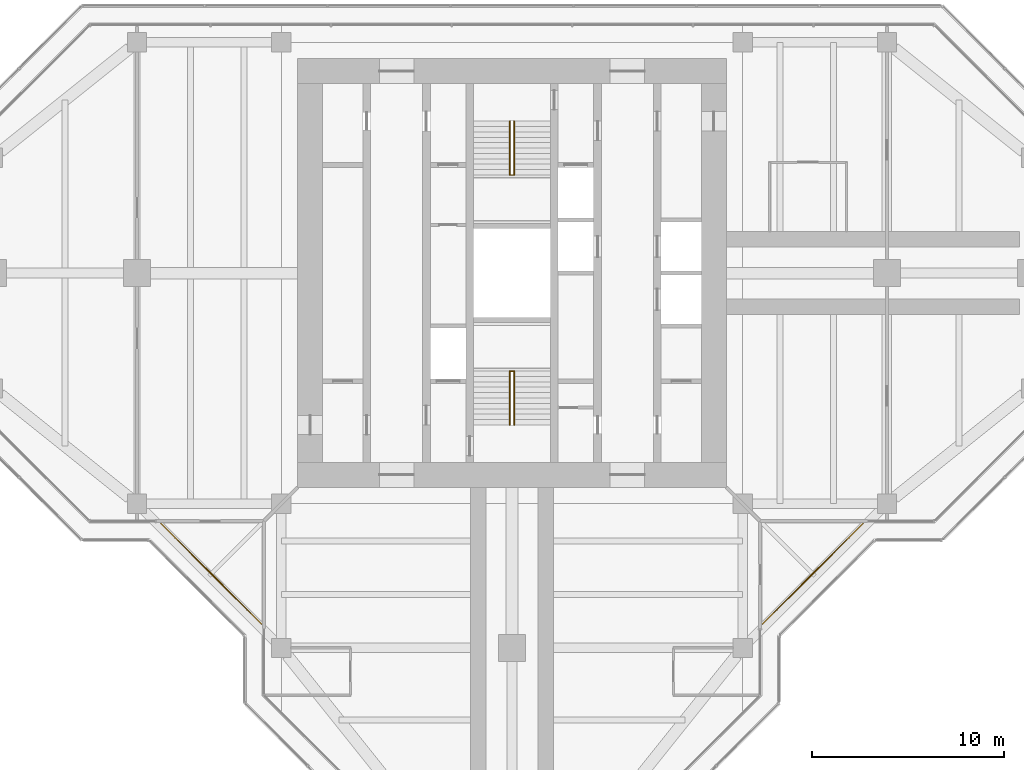
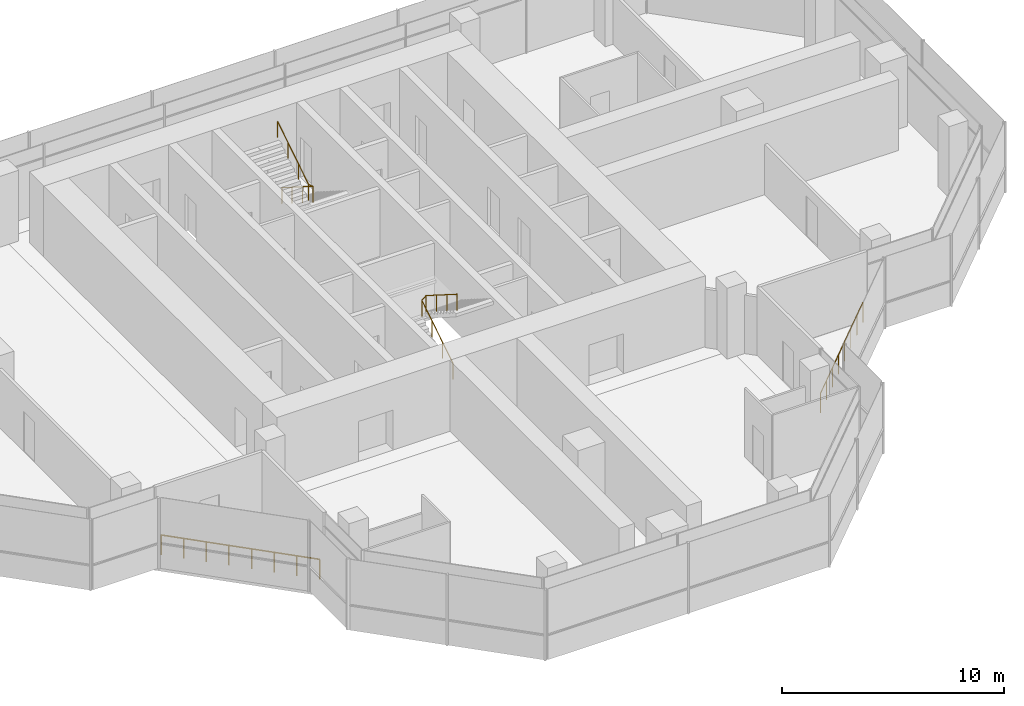
# One storey, part 15 of 15: 4 railings.
"""IFC4 building model written with IfcOpenShell, lengths in metres."""

from ifc_helpers import new_model, si_unit, direction, frame, origin, origin_2d, place, context, subcontext, project, spatial, circle, extrude, material, type_object, element, save


model = new_model("IFC4")

# Units and contexts
model_context = context("Model", 3, precision=1e-05, world=origin(), true_north=direction((0.0, 1.0)))
body_context = subcontext(model_context, "Body", "Model", "MODEL_VIEW")
ifc_project = project(units=[si_unit("LENGTHUNIT", "METRE"), si_unit("AREAUNIT", "SQUARE_METRE"), si_unit("VOLUMEUNIT", "CUBIC_METRE"), si_unit("PLANEANGLEUNIT", "RADIAN"), si_unit("MASSUNIT", "GRAM", prefix="KILO")], contexts=[model_context])

# Site, building, storey
site_placement = place(None, origin())
site = spatial("IfcSite", under=ifc_project, at=site_placement, CompositionType="ELEMENT")
building_placement = place(site_placement, origin())
building = spatial("IfcBuilding", under=site, at=building_placement, Name="Mizan Broadcast Tower", CompositionType="ELEMENT")
storey_placement = place(building_placement, frame((0.0, 0.0, 298.5)))
storey = spatial("IfcBuildingStorey", under=building, at=storey_placement, Name="L71", CompositionType="ELEMENT", Elevation=298.5)

# Railings
ifc_material_1 = material(Name="Stainless steel and glass guard", Category="steel")
railing_type_1 = type_object("IfcRailingType", Name="GUARD 1100", PredefinedType="GUARDRAIL", material=ifc_material_1)
railing_1_placement = place(storey_placement, frame((-18.2578125, -13.030029296875, 0.0)))
element("IfcRailing", 1, at=railing_1_placement, inside=storey, type_object=railing_type_1, Name="Winter garden guard L71 W", PredefinedType="GUARDRAIL", context=body_context, shape_type="SweptSolid", body=[
    extrude(circle(Radius=0.02392578125, at=origin_2d()), frame((0.0, 0.0, 1.076171875), z_axis=(0.707106781187, -0.707106781187, 0.0), x_axis=(0.707106781187, 0.707106781187, 0.0)), (0.0, 0.0, 1.0), 7.393310546875),
    extrude(circle(Radius=0.02099609375, at=origin_2d()), origin(), (0.0, 0.0, 1.0), 1.052001953125),
    extrude(circle(Radius=0.02099609375, at=origin_2d()), frame((0.746826171875, -0.746826171875, 0.0)), (0.0, 0.0, 1.0), 1.052001953125),
    extrude(circle(Radius=0.02099609375, at=origin_2d()), frame((1.49365234375, -1.49365234375, 0.0)), (0.0, 0.0, 1.0), 1.052001953125),
    extrude(circle(Radius=0.02099609375, at=origin_2d()), frame((2.240478515625, -2.240478515625, 0.0)), (0.0, 0.0, 1.0), 1.052001953125),
    extrude(circle(Radius=0.02099609375, at=origin_2d()), frame((2.9873046875, -2.9873046875, 0.0)), (0.0, 0.0, 1.0), 1.052001953125),
    extrude(circle(Radius=0.02099609375, at=origin_2d()), frame((3.734130859375, -3.734130859375, 0.0)), (0.0, 0.0, 1.0), 1.052001953125),
    extrude(circle(Radius=0.02099609375, at=origin_2d()), frame((4.48095703125, -4.48095703125, 0.0)), (0.0, 0.0, 1.0), 1.052001953125),
    extrude(circle(Radius=0.02099609375, at=origin_2d()), frame((5.227783203125, -5.227783203125, 0.0)), (0.0, 0.0, 1.0), 1.052001953125),
])
railing_2_placement = place(storey_placement, frame((13.030029296875, -18.2578125, 0.0)))
element("IfcRailing", 2, at=railing_2_placement, inside=storey, type_object=railing_type_1, Name="Winter garden guard L71 S", PredefinedType="GUARDRAIL", context=body_context, shape_type="SweptSolid", body=[
    extrude(circle(Radius=0.02392578125, at=origin_2d()), frame((0.0, 0.0, 1.076171875), z_axis=(0.707106781187, 0.707106781187, 0.0), x_axis=(-0.707106781187, 0.707106781187, 0.0)), (0.0, 0.0, 1.0), 7.393310546875),
    extrude(circle(Radius=0.02099609375, at=origin_2d()), origin(), (0.0, 0.0, 1.0), 1.052001953125),
    extrude(circle(Radius=0.02099609375, at=origin_2d()), frame((0.746826171875, 0.746826171875, 0.0)), (0.0, 0.0, 1.0), 1.052001953125),
    extrude(circle(Radius=0.02099609375, at=origin_2d()), frame((1.49365234375, 1.49365234375, 0.0)), (0.0, 0.0, 1.0), 1.052001953125),
    extrude(circle(Radius=0.02099609375, at=origin_2d()), frame((2.240478515625, 2.240478515625, 0.0)), (0.0, 0.0, 1.0), 1.052001953125),
    extrude(circle(Radius=0.02099609375, at=origin_2d()), frame((2.9873046875, 2.9873046875, 0.0)), (0.0, 0.0, 1.0), 1.052001953125),
    extrude(circle(Radius=0.02099609375, at=origin_2d()), frame((3.734130859375, 3.734130859375, 0.0)), (0.0, 0.0, 1.0), 1.052001953125),
    extrude(circle(Radius=0.02099609375, at=origin_2d()), frame((4.48095703125, 4.48095703125, 0.0)), (0.0, 0.0, 1.0), 1.052001953125),
    extrude(circle(Radius=0.02099609375, at=origin_2d()), frame((5.227783203125, 5.227783203125, 0.0)), (0.0, 0.0, 1.0), 1.052001953125),
])
ifc_material_2 = material(Name="Stainless steel", Category="steel")
railing_type_2 = type_object("IfcRailingType", Name="HANDRAIL 50", PredefinedType="HANDRAIL", material=ifc_material_2)
railing_3_placement = place(storey_placement, frame((-0.110107421875, -7.89990234375, 0.17724609375)))
element("IfcRailing", 3, at=railing_3_placement, inside=storey, type_object=railing_type_2, Name="Stair A handrail", PredefinedType="HANDRAIL", context=body_context, shape_type="SweptSolid", body=[
    extrude(circle(Radius=0.02392578125, at=origin_2d()), frame((0.0, 0.0, 0.8759765625), z_axis=(0.0, 0.844887892834, 0.53494340686), x_axis=(-1.0, 0.0, 0.0)), (0.0, 0.0, 1.0), 3.313720703125),
    extrude(circle(Radius=0.02392578125, at=origin_2d()), frame((0.0, 2.7998046875, 2.6484375), z_axis=(0.779011685263, 0.0, 0.627009405212), x_axis=(0.0, 1.0, 0.0)), (0.0, 0.0, 1.0), 0.28271484375),
    extrude(circle(Radius=0.02392578125, at=origin_2d()), frame((0.22021484375, 2.7998046875, 2.82568359375), z_axis=(0.0, -0.844887892834, 0.53494340686), x_axis=(1.0, 0.0, 0.0)), (0.0, 0.0, 1.0), 3.313720703125),
    extrude(circle(Radius=0.02099609375, at=origin_2d()), origin(), (0.0, 0.0, 1.0), 0.851806640625),
    extrude(circle(Radius=0.02099609375, at=origin_2d()), frame((0.0, 0.933349609375, 0.5908203125)), (0.0, 0.0, 1.0), 0.851806640625),
    extrude(circle(Radius=0.02099609375, at=origin_2d()), frame((0.0, 1.866455078125, 1.181884765625)), (0.0, 0.0, 1.0), 0.851806640625),
    extrude(circle(Radius=0.02099609375, at=origin_2d()), frame((0.0, 2.7998046875, 1.772705078125)), (0.0, 0.0, 1.0), 0.851806640625),
    extrude(circle(Radius=0.02099609375, at=origin_2d()), frame((0.22021484375, 2.7998046875, 1.949951171875)), (0.0, 0.0, 1.0), 0.851806640625),
    extrude(circle(Radius=0.02099609375, at=origin_2d()), frame((0.22021484375, 1.866455078125, 2.540771484375)), (0.0, 0.0, 1.0), 0.851806640625),
    extrude(circle(Radius=0.02099609375, at=origin_2d()), frame((0.22021484375, 0.933349609375, 3.1318359375)), (0.0, 0.0, 1.0), 0.851806640625),
    extrude(circle(Radius=0.02099609375, at=origin_2d()), frame((0.22021484375, 0.0, 3.72265625)), (0.0, 0.0, 1.0), 0.851806640625),
])
railing_4_placement = place(storey_placement, frame((0.110107421875, 7.89990234375, 0.17724609375)))
element("IfcRailing", 4, at=railing_4_placement, inside=storey, type_object=railing_type_2, Name="Stair B handrail", PredefinedType="HANDRAIL", context=body_context, shape_type="SweptSolid", body=[
    extrude(circle(Radius=0.02392578125, at=origin_2d()), frame((0.0, 0.0, 0.8759765625), z_axis=(0.0, -0.844887892834, 0.53494340686), x_axis=(1.0, 0.0, 0.0)), (0.0, 0.0, 1.0), 3.313720703125),
    extrude(circle(Radius=0.02392578125, at=origin_2d()), frame((0.0, -2.7998046875, 2.6484375), z_axis=(-0.779011685263, 0.0, 0.627009405212), x_axis=(0.0, -1.0, 0.0)), (0.0, 0.0, 1.0), 0.28271484375),
    extrude(circle(Radius=0.02392578125, at=origin_2d()), frame((-0.22021484375, -2.7998046875, 2.82568359375), z_axis=(0.0, 0.844887892834, 0.53494340686), x_axis=(-1.0, 0.0, 0.0)), (0.0, 0.0, 1.0), 3.313720703125),
    extrude(circle(Radius=0.02099609375, at=origin_2d()), origin(), (0.0, 0.0, 1.0), 0.851806640625),
    extrude(circle(Radius=0.02099609375, at=origin_2d()), frame((0.0, -0.933349609375, 0.5908203125)), (0.0, 0.0, 1.0), 0.851806640625),
    extrude(circle(Radius=0.02099609375, at=origin_2d()), frame((0.0, -1.866455078125, 1.181884765625)), (0.0, 0.0, 1.0), 0.851806640625),
    extrude(circle(Radius=0.02099609375, at=origin_2d()), frame((0.0, -2.7998046875, 1.772705078125)), (0.0, 0.0, 1.0), 0.851806640625),
    extrude(circle(Radius=0.02099609375, at=origin_2d()), frame((-0.22021484375, -2.7998046875, 1.949951171875)), (0.0, 0.0, 1.0), 0.851806640625),
    extrude(circle(Radius=0.02099609375, at=origin_2d()), frame((-0.22021484375, -1.866455078125, 2.540771484375)), (0.0, 0.0, 1.0), 0.851806640625),
    extrude(circle(Radius=0.02099609375, at=origin_2d()), frame((-0.22021484375, -0.933349609375, 3.1318359375)), (0.0, 0.0, 1.0), 0.851806640625),
    extrude(circle(Radius=0.02099609375, at=origin_2d()), frame((-0.22021484375, 0.0, 3.72265625)), (0.0, 0.0, 1.0), 0.851806640625),
])

save(model, "model.ifc")
